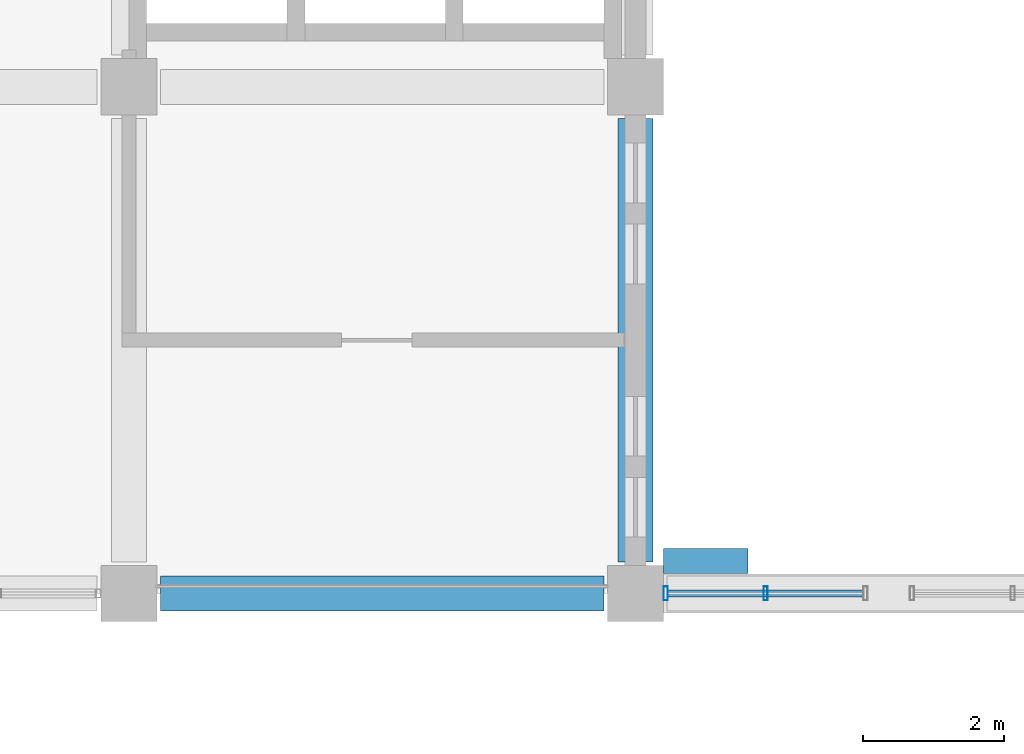
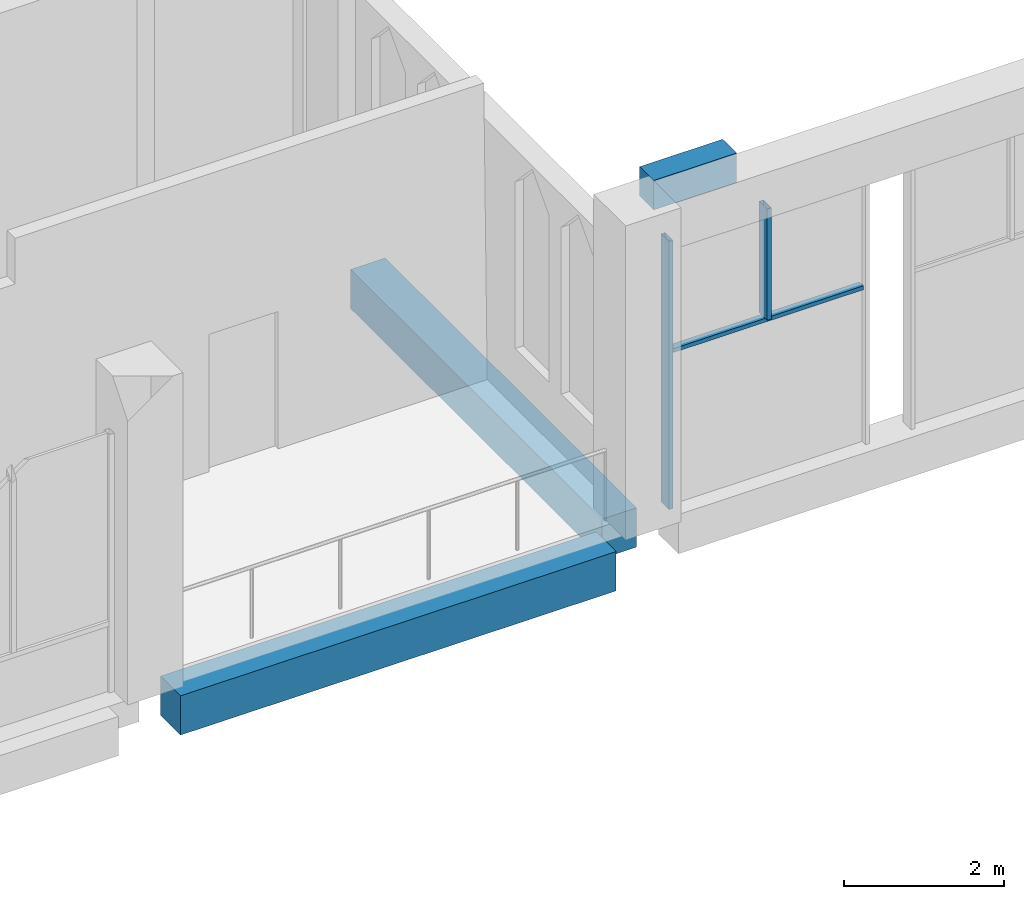
# One storey, part 11 of 31: 4 members, 2 beams, 1 element without a shape of its own.
"""IFC4 building model written with IfcOpenShell, lengths in metres."""

from ifc_helpers import new_model, si_unit, direction, frame, origin, origin_2d, place, context, subcontext, project, spatial, rectangle, hollow_rectangle, extrude, material, material_profile, profile_set, type_object, element, aggregate, save


model = new_model("IFC4")

# Units and contexts
model_context = context("Model", 3, precision=1e-05, world=origin(), true_north=direction((0.0, 1.0)))
body_context = subcontext(model_context, "Body", "Model", "MODEL_VIEW")
ifc_project = project(units=[si_unit("LENGTHUNIT", "METRE"), si_unit("AREAUNIT", "SQUARE_METRE"), si_unit("VOLUMEUNIT", "CUBIC_METRE"), si_unit("PLANEANGLEUNIT", "RADIAN"), si_unit("MASSUNIT", "GRAM", prefix="KILO")], contexts=[model_context])

# Site, building, storey
site_placement = place(None, origin())
site = spatial("IfcSite", under=ifc_project, at=site_placement, CompositionType="ELEMENT")
building_placement = place(site_placement, origin())
building = spatial("IfcBuilding", under=site, at=building_placement, Name="Silangan Lancet Faculty of Sciences", CompositionType="ELEMENT")
storey_placement = place(building_placement, frame((0.0, 0.0, 36.0)))
storey = spatial("IfcBuildingStorey", under=building, at=storey_placement, Name="L07", CompositionType="ELEMENT", Elevation=36.0)

# Beams
ifc_material_1 = material(Name="Concrete C40/50", Category="concrete")
ifc_material_profile_1 = material_profile(ifc_material_1, rectangle(XDim=0.5, YDim=0.60009765625, at=origin_2d()), Name="RC 500x600")
ifc_profile_set_1 = profile_set([ifc_material_profile_1], Name="Concrete C40/50")
beam_type = type_object("IfcBeamType", Name="BEAM RC 500x600", PredefinedType="BEAM", material=ifc_profile_set_1)
for number, where, z_axis, x_axis, name in (
    (1, (22.050048828125, 36.0, -0.550048828125), (1.0, 0.0, 0.0), (0.0, 1.0, 0.0), "BM-L07-4F-5F"),
    (2, (28.800048828125, 36.449951171875, -0.550048828125), (0.0, 1.0, 0.0), (-1.0, 0.0, 0.0), "BM-L07-5F-5G"),
):
    element("IfcBeam", number, at=place(storey_placement, frame(where, z_axis=z_axis, x_axis=x_axis)), inside=storey, type_object=beam_type, Name=name, PredefinedType="BEAM", context=body_context, shape_type="SweptSolid", body=[
        extrude(rectangle(XDim=0.5, YDim=0.60009765625, at=origin_2d()), origin(), (0.0, 0.0, 1.0), 6.300048828125),
    ])

# Curtain wall, members
ifc_material_2 = material(Name="Aluminium framed curtain wall with insulated glass", Category="aluminium")
curtain_wall_type = type_object("IfcCurtainWallType", Name="CW5 Nave north light glazing", PredefinedType="NOTDEFINED", material=ifc_material_2)
curtain_wall_placement = place(storey_placement, origin())
curtain_wall = element("IfcCurtainWall", 3, at=curtain_wall_placement, inside=storey, type_object=curtain_wall_type, Name="CW5 Nave north lights L07 bay 6", PredefinedType="NOTDEFINED")
ifc_material_3 = material(Name="Aluminium 6063-T6 extrusion", Category="aluminium")
ifc_material_profile_2 = material_profile(ifc_material_3, hollow_rectangle(XDim=0.06005859375, YDim=0.199951171875, WallThickness=0.00390625, at=origin_2d()), Name="AL BOX 60x200x4")
ifc_profile_set_2 = profile_set([ifc_material_profile_2], Name="Aluminium 6063-T6 extrusion")
member_type_1 = type_object("IfcMemberType", Name="CM1 Mullion 60x200", PredefinedType="MULLION", material=ifc_profile_set_2)
member_1_placement = place(storey_placement, frame((29.22998046875, 36.0, 0.0), z_axis=(0.0, 0.0, 1.0), x_axis=(-1.0, 0.0, 0.0)))
member_1 = element("IfcMember", 4, at=member_1_placement, type_object=member_type_1, Name="CW5 Nave north lights L07 bay 6 mullion 2", PredefinedType="MULLION", context=body_context, shape_type="SweptSolid", body=[
    extrude(hollow_rectangle(XDim=0.06005859375, YDim=0.199951171875, WallThickness=0.00390625, at=origin_2d()), origin(), (0.0, 0.0, 1.0), 4.10009765625),
])
member_2_placement = place(storey_placement, frame((30.64990234375, 36.0, 2.39990234375), z_axis=(0.0, 0.0, 1.0), x_axis=(-1.0, 0.0, 0.0)))
member_2 = element("IfcMember", 5, at=member_2_placement, type_object=member_type_1, Name="CW5 Nave north lights L07 bay 6 mullion 3", PredefinedType="MULLION", context=body_context, shape_type="SweptSolid", body=[
    extrude(hollow_rectangle(XDim=0.06005859375, YDim=0.199951171875, WallThickness=0.00390625, at=origin_2d()), origin(), (0.0, 0.0, 1.0), 1.7001953125),
])
ifc_material_4 = material(Name="Aluminium 6063-T6 extrusion", Category="aluminium")
ifc_material_profile_3 = material_profile(ifc_material_4, hollow_rectangle(XDim=0.10009765625, YDim=0.06005859375, WallThickness=0.0029296875, at=origin_2d()), Name="AL BOX 100x60x3")
ifc_profile_set_3 = profile_set([ifc_material_profile_3], Name="Aluminium 6063-T6 extrusion")
member_type_2 = type_object("IfcMemberType", Name="CT1 Transom 100x60", PredefinedType="USERDEFINED", material=ifc_profile_set_3)
member_3_placement = place(storey_placement, frame((32.039794921875, 36.0, 2.3701171875), z_axis=(-1.0, 0.0, 0.0), x_axis=(0.0, -1.0, 0.0)))
member_3 = element("IfcMember", 6, at=member_3_placement, type_object=member_type_2, Name="CW5 Nave north lights L07 bay 6 transom 1", ObjectType="TRANSOM", PredefinedType="USERDEFINED", context=body_context, shape_type="SweptSolid", body=[
    extrude(hollow_rectangle(XDim=0.10009765625, YDim=0.06005859375, WallThickness=0.0029296875, at=origin_2d()), origin(), (0.0, 0.0, 1.0), 2.77978515625),
])
aggregate(curtain_wall, [member_1, member_2, member_3])

# Member
ifc_material_5 = material(Name="Concrete C40/50 precast", Category="concrete")
ifc_material_profile_4 = material_profile(ifc_material_5, rectangle(XDim=0.35009765625, YDim=0.449951171875, at=origin_2d()), Name="RC 350x450")
ifc_profile_set_4 = profile_set([ifc_material_profile_4], Name="Concrete C40/50 precast")
member_type_3 = type_object("IfcMemberType", Name="KC3 Buttress corbel 350x450", PredefinedType="USERDEFINED", material=ifc_profile_set_4)
member_4_placement = place(storey_placement, frame((29.199951171875, 36.4599609375, 4.574951171875), z_axis=(1.0, 0.0, 0.0), x_axis=(0.0, 1.0, 0.0)))
element("IfcMember", 7, at=member_4_placement, inside=storey, type_object=member_type_3, Name="CORBEL-FINC-E-NT-01", ObjectType="CORBEL", PredefinedType="USERDEFINED", context=body_context, shape_type="SweptSolid", body=[
    extrude(rectangle(XDim=0.35009765625, YDim=0.449951171875, at=origin_2d()), origin(), (0.0, 0.0, 1.0), 1.2001953125),
])

save(model, "model.ifc")
